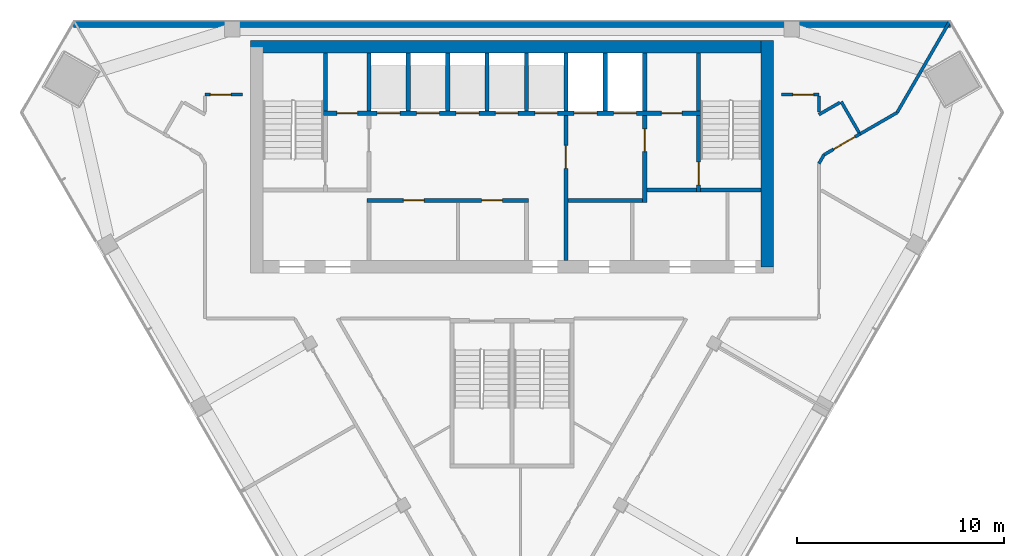
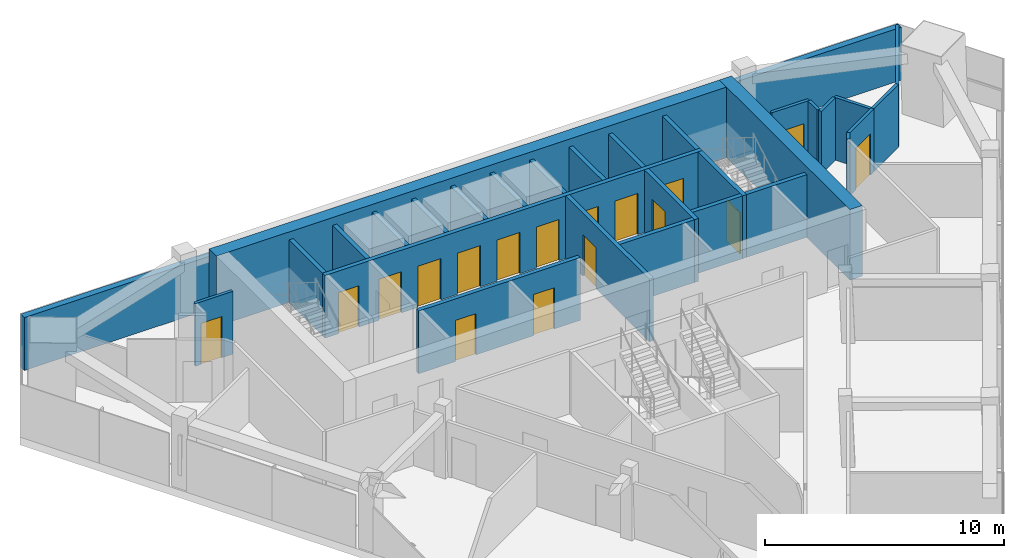
# One storey, part 9 of 12: 30 walls, 17 doors, 17 openings.
"""IFC4 building model written with IfcOpenShell, lengths in metres."""

from ifc_helpers import new_model, si_unit, direction, frame, frame_2d, origin, place, context, subcontext, project, spatial, rectangle, extrude, material, layer, layer_set, type_object, element, fill, save


model = new_model("IFC4")

# Units and contexts
model_context = context("Model", 3, precision=1e-05, world=origin(), true_north=direction((0.0, 1.0)))
body_context = subcontext(model_context, "Body", "Model", "MODEL_VIEW")
ifc_project = project(units=[si_unit("LENGTHUNIT", "METRE"), si_unit("AREAUNIT", "SQUARE_METRE"), si_unit("VOLUMEUNIT", "CUBIC_METRE"), si_unit("PLANEANGLEUNIT", "RADIAN"), si_unit("MASSUNIT", "GRAM", prefix="KILO")], contexts=[model_context])

# Site, building, storey
site_placement = place(None, origin())
site = spatial("IfcSite", under=ifc_project, at=site_placement, CompositionType="ELEMENT")
building_placement = place(site_placement, origin())
building = spatial("IfcBuilding", under=site, at=building_placement, Name="Altiplano Prism Tower", CompositionType="ELEMENT")
storey_placement = place(building_placement, frame((0.0, 0.0, 253.60009765625)))
storey = spatial("IfcBuildingStorey", under=building, at=storey_placement, Name="L65", CompositionType="ELEMENT", Elevation=253.60009765625)

# Walls
ifc_material_1 = material(Name="Concrete C60/75", Category="concrete")
ifc_layer_1 = layer(ifc_material_1, 0.60009765625)
ifc_layer_set_1 = layer_set([ifc_layer_1], Name="Concrete C60/75")
wall_type_1 = type_object("IfcWallType", Name="Core wall 600", PredefinedType="SHEAR", material=ifc_layer_set_1)
wall_1_placement = place(storey_placement, frame((97.300048828125, 93.10009765625, 0.0), z_axis=(0.0, 0.0, 1.0), x_axis=(0.0, 1.0, 0.0)))
element("IfcWall", 1, at=wall_1_placement, inside=storey, type_object=wall_type_1, Name="Core wall E L65", PredefinedType="SHEAR", context=body_context, shape_type="SweptSolid", body=[
    extrude(rectangle(XDim=10.89990234375, YDim=0.60009765625, at=frame_2d((5.449951171875, 0.0))), origin(), (0.0, 0.0, 1.0), 3.599853515625),
])
wall_2_placement = place(storey_placement, frame((97.300048828125, 103.699951171875, 0.0), z_axis=(0.0, 0.0, 1.0), x_axis=(-1.0, 0.0, 0.0)))
element("IfcWall", 2, at=wall_2_placement, inside=storey, type_object=wall_type_1, Name="Core wall N L65", PredefinedType="SHEAR", context=body_context, shape_type="SweptSolid", body=[
    extrude(rectangle(XDim=24.900146484375, YDim=0.60009765625, at=frame_2d((12.4501953125, 0.0))), origin(), (0.0, 0.0, 1.0), 3.599853515625),
])
ifc_material_2 = material(Name="Plasterboard on steel stud", Category="steel")
ifc_layer_2 = layer(ifc_material_2, 0.14990234375)
ifc_layer_set_2 = layer_set([ifc_layer_2], Name="Plasterboard on steel stud")
wall_type_2 = type_object("IfcWallType", Name="Partition 150 corridor", PredefinedType="PARTITIONING", material=ifc_layer_set_2)
wall_3_placement = place(storey_placement, frame((99.800048828125, 98.07568359375, 0.0), z_axis=(0.0, 0.0, 1.0), x_axis=(0.499837493736, 0.866119206493, 0.0)))
element("IfcWall", 3, at=wall_3_placement, inside=storey, type_object=wall_type_2, Name="Partition P06 L65 011", PredefinedType="PARTITIONING", context=body_context, shape_type="SweptSolid", body=[
    extrude(rectangle(XDim=0.489990234375, YDim=0.14990234375, at=frame_2d((0.2451171875, 0.0))), origin(), (0.0, 0.0, 1.0), 3.199951171875),
])

# Wall, opening, door
wall_4_placement = place(storey_placement, frame((100.044921875, 98.5, 0.0), z_axis=(0.0, 0.0, 1.0), x_axis=(0.866010470582, 0.500025864173, 0.0)))
wall_4 = element("IfcWall", 4, at=wall_4_placement, inside=storey, type_object=wall_type_2, Name="Partition P06 L65 012", PredefinedType="PARTITIONING", context=body_context, shape_type="SweptSolid", body=[
    extrude(rectangle(XDim=2.02001953125, YDim=0.14990234375, at=frame_2d((1.010009765625, 0.0))), origin(), (0.0, 0.0, 1.0), 3.199951171875),
])
opening_1_placement = place(wall_4_placement, frame((0.52392578125, 0.0, 0.0)))
opening_1 = element("IfcOpeningElement", 5, at=opening_1_placement, cuts=wall_4, Name="Opening D2120", PredefinedType="OPENING", context=body_context, shape_type="SweptSolid", body=[
    extrude(rectangle(XDim=1.199951171875, YDim=2.10009765625, at=frame_2d((0.60009765625, 1.050048828125))), frame((0.0, 0.08544921875, 0.0), z_axis=(0.0, -1.0, 0.0), x_axis=(1.0, 0.0, 0.0)), (0.0, 0.0, 1.0), 0.1708984375),
])
ifc_material_3 = material(Name="Timber", Category="wood")
door_type_1 = type_object("IfcDoorType", Name="Shared room door 1200 x 2100", OperationType="NOTDEFINED", PredefinedType="NOTDEFINED", material=ifc_material_3)
door_1_placement = place(opening_1_placement, origin())
door_1 = element("IfcDoor", 6, at=door_1_placement, inside=storey, type_object=door_type_1, Name="Door D2120", OperationType="SINGLE_SWING_RIGHT", OverallHeight=2.10009765625, OverallWidth=1.199951171875, PredefinedType="NOTDEFINED", context=body_context, shape_type="SweptSolid", body=[
    extrude(rectangle(XDim=1.199951171875, YDim=2.10009765625, at=frame_2d((0.60009765625, 1.050048828125))), frame((0.0, 0.02490234375, 0.0), z_axis=(0.0, -1.0, 0.0), x_axis=(1.0, 0.0, 0.0)), (0.0, 0.0, 1.0), 0.050048828125),
])
fill(opening_1, door_1)

wall_5_placement = place(storey_placement, frame((72.0, 101.39990234375, 0.0), z_axis=(0.0, 0.0, 1.0), x_axis=(-1.0, 0.0, 0.0)))
wall_5 = element("IfcWall", 7, at=wall_5_placement, inside=storey, type_object=wall_type_2, Name="Partition P06 L65 013", PredefinedType="PARTITIONING", context=body_context, shape_type="SweptSolid", body=[
    extrude(rectangle(XDim=1.800048828125, YDim=0.14990234375, at=frame_2d((0.89990234375, 0.0))), origin(), (0.0, 0.0, 1.0), 3.199951171875),
])
opening_2_placement = place(wall_5_placement, frame((0.5400390625, 0.0, 0.0)))
opening_2 = element("IfcOpeningElement", 8, at=opening_2_placement, cuts=wall_5, Name="Opening D2121", PredefinedType="OPENING", context=body_context, shape_type="SweptSolid", body=[
    extrude(rectangle(XDim=1.0, YDim=2.10009765625, at=frame_2d((0.5, 1.050048828125))), frame((0.0, 0.08544921875, 0.0), z_axis=(0.0, -1.0, 0.0), x_axis=(1.0, 0.0, 0.0)), (0.0, 0.0, 1.0), 0.1708984375),
])
door_type_2 = type_object("IfcDoorType", Name="Room door 1000 x 2100", OperationType="NOTDEFINED", PredefinedType="NOTDEFINED", material=ifc_material_3)
door_2_placement = place(opening_2_placement, origin())
door_2 = element("IfcDoor", 9, at=door_2_placement, inside=storey, type_object=door_type_2, Name="Door D2121", OperationType="SINGLE_SWING_LEFT", OverallHeight=2.10009765625, OverallWidth=1.0, PredefinedType="NOTDEFINED", context=body_context, shape_type="SweptSolid", body=[
    extrude(rectangle(XDim=1.0, YDim=2.10009765625, at=frame_2d((0.5, 1.050048828125))), frame((0.0, 0.02490234375, 0.0), z_axis=(0.0, -1.0, 0.0), x_axis=(1.0, 0.0, 0.0)), (0.0, 0.0, 1.0), 0.050048828125),
])
fill(opening_2, door_2)

# Walls
wall_6_placement = place(storey_placement, frame((101.739501953125, 99.56494140625, 0.0), z_axis=(0.0, 0.0, 1.0), x_axis=(-0.500020560727, 0.866013532718, 0.0)))
element("IfcWall", 10, at=wall_6_placement, inside=storey, type_object=wall_type_2, Name="Partition P06 L65 017", PredefinedType="PARTITIONING", context=body_context, shape_type="SweptSolid", body=[
    extrude(rectangle(XDim=1.72509765625, YDim=0.14990234375, at=frame_2d((0.862548828125, 0.0))), origin(), (0.0, 0.0, 1.0), 3.199951171875),
])
wall_7_placement = place(storey_placement, frame((100.81201171875, 101.021240234375, 0.0), z_axis=(0.0, 0.0, 1.0), x_axis=(-0.86603597662, -0.499981686864, 0.0)))
element("IfcWall", 11, at=wall_7_placement, inside=storey, type_object=wall_type_2, Name="Partition P06 L65 018", PredefinedType="PARTITIONING", context=body_context, shape_type="SweptSolid", body=[
    extrude(rectangle(XDim=1.16845703125, YDim=0.14990234375, at=frame_2d((0.584228515625, 0.0))), origin(), (0.0, 0.0, 1.0), 3.199951171875),
])
wall_8_placement = place(storey_placement, frame((99.800048828125, 100.56689453125, 0.0), z_axis=(0.0, 0.0, 1.0), x_axis=(0.0, 1.0, 0.0)))
element("IfcWall", 12, at=wall_8_placement, inside=storey, type_object=wall_type_2, Name="Partition P06 L65 019", PredefinedType="PARTITIONING", context=body_context, shape_type="SweptSolid", body=[
    extrude(rectangle(XDim=0.758056640625, YDim=0.14990234375, at=frame_2d((0.37890625, 0.0))), origin(), (0.0, 0.0, 1.0), 3.199951171875),
])

# Wall, opening, door
wall_9_placement = place(storey_placement, frame((99.800048828125, 101.39990234375, 0.0), z_axis=(0.0, 0.0, 1.0), x_axis=(-1.0, 0.0, 0.0)))
wall_9 = element("IfcWall", 13, at=wall_9_placement, inside=storey, type_object=wall_type_2, Name="Partition P06 L65 020", PredefinedType="PARTITIONING", context=body_context, shape_type="SweptSolid", body=[
    extrude(rectangle(XDim=1.800048828125, YDim=0.14990234375, at=frame_2d((0.89990234375, 0.0))), origin(), (0.0, 0.0, 1.0), 3.199951171875),
])
opening_3_placement = place(wall_9_placement, frame((0.260009765625, 0.0, 0.0)))
opening_3 = element("IfcOpeningElement", 14, at=opening_3_placement, cuts=wall_9, Name="Opening D2122", PredefinedType="OPENING", context=body_context, shape_type="SweptSolid", body=[
    extrude(rectangle(XDim=1.0, YDim=2.10009765625, at=frame_2d((0.5, 1.050048828125))), frame((0.0, 0.08544921875, 0.0), z_axis=(0.0, -1.0, 0.0), x_axis=(1.0, 0.0, 0.0)), (0.0, 0.0, 1.0), 0.1708984375),
])
door_type_3 = type_object("IfcDoorType", Name="Store door 1000 x 2100", OperationType="NOTDEFINED", PredefinedType="NOTDEFINED", material=ifc_material_3)
door_3_placement = place(opening_3_placement, origin())
door_3 = element("IfcDoor", 15, at=door_3_placement, inside=storey, type_object=door_type_3, Name="Door D2122", OperationType="SINGLE_SWING_RIGHT", OverallHeight=2.10009765625, OverallWidth=1.0, PredefinedType="NOTDEFINED", context=body_context, shape_type="SweptSolid", body=[
    extrude(rectangle(XDim=1.0, YDim=2.10009765625, at=frame_2d((0.5, 1.050048828125))), frame((0.0, 0.02490234375, 0.0), z_axis=(0.0, -1.0, 0.0), x_axis=(1.0, 0.0, 0.0)), (0.0, 0.0, 1.0), 0.050048828125),
])
fill(opening_3, door_3)

# Walls
ifc_layer_3 = layer(ifc_material_2, 0.14990234375)
ifc_layer_set_3 = layer_set([ifc_layer_3], Name="Plasterboard on steel stud")
wall_type_3 = type_object("IfcWallType", Name="Partition 150 party", PredefinedType="PARTITIONING", material=ifc_layer_set_3)
wall_10_placement = place(storey_placement, frame((106.09033203125, 104.89990234375, 0.0), z_axis=(0.0, 0.0, 1.0), x_axis=(-0.499989435719, -0.866031502989, 0.0)))
element("IfcWall", 16, at=wall_10_placement, inside=storey, type_object=wall_type_3, Name="Partition P01 L65 035", PredefinedType="PARTITIONING", context=body_context, shape_type="SweptSolid", body=[
    extrude(rectangle(XDim=5.03955078125, YDim=0.14990234375, at=frame_2d((2.519775390625, 0.0))), origin(), (0.0, 0.0, 1.0), 2.699951171875),
])
wall_11_placement = place(storey_placement, frame((103.570556640625, 100.535400390625, 0.0), z_axis=(0.0, 0.0, 1.0), x_axis=(-0.86603638303, -0.499980982906, 0.0)))
element("IfcWall", 17, at=wall_11_placement, inside=storey, type_object=wall_type_3, Name="Partition P01 L65 036", PredefinedType="PARTITIONING", context=body_context, shape_type="SweptSolid", body=[
    extrude(rectangle(XDim=2.07080078125, YDim=0.14990234375, at=frame_2d((1.035400390625, 0.0))), origin(), (0.0, 0.0, 1.0), 3.199951171875),
])
ifc_layer_4 = layer(ifc_material_1, 0.199951171875)
ifc_layer_set_4 = layer_set([ifc_layer_4], Name="Concrete C60/75")
wall_type_4 = type_object("IfcWallType", Name="Shaft wall 200", PredefinedType="SOLIDWALL", material=ifc_layer_set_4)
for number, where, z_axis, x_axis, name in (
    (18, (78.10009765625, 100.60009765625, 0.0), (0.0, 0.0, 1.0), (0.0, 1.0, 0.0), "Shaft wall L65"),
    (19, (80.0, 100.60009765625, 0.0), (0.0, 0.0, 1.0), (0.0, 1.0, 0.0), "Shaft wall L65"),
    (20, (81.89990234375, 100.60009765625, 0.0), (0.0, 0.0, 1.0), (0.0, 1.0, 0.0), "Shaft wall L65"),
    (21, (83.800048828125, 100.60009765625, 0.0), (0.0, 0.0, 1.0), (0.0, 1.0, 0.0), "Shaft wall L65"),
    (22, (85.699951171875, 100.60009765625, 0.0), (0.0, 0.0, 1.0), (0.0, 1.0, 0.0), "Shaft wall L65"),
    (23, (87.60009765625, 100.60009765625, 0.0), (0.0, 0.0, 1.0), (0.0, 1.0, 0.0), "Shaft wall L65"),
    (24, (89.5, 100.60009765625, 0.0), (0.0, 0.0, 1.0), (0.0, 1.0, 0.0), "Shaft wall L65"),
    (25, (91.39990234375, 100.60009765625, 0.0), (0.0, 0.0, 1.0), (0.0, 1.0, 0.0), "Shaft wall L65"),
):
    element("IfcWall", number, at=place(storey_placement, frame(where, z_axis=z_axis, x_axis=x_axis)), inside=storey, type_object=wall_type_4, Name=name, PredefinedType="SOLIDWALL", context=body_context, shape_type="SweptSolid", body=[
        extrude(rectangle(XDim=2.7998046875, YDim=0.199951171875, at=frame_2d((1.39990234375, 0.0))), origin(), (0.0, 0.0, 1.0), 3.199951171875),
    ])

# Wall, opening, door
ifc_layer_5 = layer(ifc_material_1, 0.199951171875)
ifc_layer_set_5 = layer_set([ifc_layer_5], Name="Concrete C60/75")
wall_type_5 = type_object("IfcWallType", Name="Stair wall 200", PredefinedType="SOLIDWALL", material=ifc_layer_set_5)
wall_12_placement = place(storey_placement, frame((94.0, 96.699951171875, 0.0), z_axis=(0.0, 0.0, 1.0), x_axis=(0.0, 1.0, 0.0)))
wall_12 = element("IfcWall", 26, at=wall_12_placement, inside=storey, type_object=wall_type_5, Name="Stair wall L65", PredefinedType="SOLIDWALL", context=body_context, shape_type="SweptSolid", body=[
    extrude(rectangle(XDim=3.699951171875, YDim=0.199951171875, at=frame_2d((1.85009765625, 0.0))), origin(), (0.0, 0.0, 1.0), 3.199951171875),
])
opening_4_placement = place(wall_12_placement, frame((0.35009765625, 0.0, 0.0)))
opening_4 = element("IfcOpeningElement", 27, at=opening_4_placement, cuts=wall_12, Name="Opening D3488", PredefinedType="OPENING", context=body_context, shape_type="SweptSolid", body=[
    extrude(rectangle(XDim=1.10009765625, YDim=2.10009765625, at=frame_2d((0.550048828125, 1.050048828125))), frame((0.0, 0.1103515625, 0.0), z_axis=(0.0, -1.0, 0.0), x_axis=(1.0, 0.0, 0.0)), (0.0, 0.0, 1.0), 0.220947265625),
])
ifc_material_4 = material(Name="Fire-rated steel door", Category="steel")
door_type_4 = type_object("IfcDoorType", Name="Stair fire door 1100 x 2100", OperationType="NOTDEFINED", PredefinedType="NOTDEFINED", material=ifc_material_4)
door_4_placement = place(opening_4_placement, origin())
door_4 = element("IfcDoor", 28, at=door_4_placement, inside=storey, type_object=door_type_4, Name="Stair fire door D3488", OperationType="SINGLE_SWING_LEFT", OverallHeight=2.10009765625, OverallWidth=1.10009765625, PredefinedType="NOTDEFINED", context=body_context, shape_type="SweptSolid", body=[
    extrude(rectangle(XDim=1.10009765625, YDim=2.10009765625, at=frame_2d((0.550048828125, 1.050048828125))), frame((0.0, 0.02490234375, 0.0), z_axis=(0.0, -1.0, 0.0), x_axis=(1.0, 0.0, 0.0)), (0.0, 0.0, 1.0), 0.050048828125),
])
fill(opening_4, door_4)

# Wall
wall_13_placement = place(storey_placement, frame((94.10009765625, 96.800048828125, 0.0), z_axis=(0.0, 0.0, 1.0), x_axis=(1.0, 0.0, 0.0)))
element("IfcWall", 29, at=wall_13_placement, inside=storey, type_object=wall_type_5, Name="Stair wall L65", PredefinedType="SOLIDWALL", context=body_context, shape_type="SweptSolid", body=[
    extrude(rectangle(XDim=2.89990234375, YDim=0.199951171875, at=frame_2d((1.449951171875, 0.0))), origin(), (0.0, 0.0, 1.0), 3.199951171875),
])

# Wall, openings, doors
wall_14_placement = place(storey_placement, frame((75.89990234375, 100.5, 0.0), z_axis=(0.0, 0.0, 1.0), x_axis=(1.0, 0.0, 0.0)))
wall_14 = element("IfcWall", 30, at=wall_14_placement, inside=storey, type_object=wall_type_5, Name="Stair wall L65", PredefinedType="SOLIDWALL", context=body_context, shape_type="SweptSolid", body=[
    extrude(rectangle(XDim=18.2001953125, YDim=0.199951171875, at=frame_2d((9.10009765625, 0.0))), origin(), (0.0, 0.0, 1.0), 3.199951171875),
])
opening_5_placement = place(wall_14_placement, frame((2.60009765625, 0.0, 0.0)))
opening_5 = element("IfcOpeningElement", 31, at=opening_5_placement, cuts=wall_14, Name="Opening LD-HL1-L65", PredefinedType="OPENING", context=body_context, shape_type="SweptSolid", body=[
    extrude(rectangle(XDim=1.10009765625, YDim=2.10009765625, at=frame_2d((0.550048828125, 1.050048828125))), frame((0.0, 0.1103515625, 0.0), z_axis=(0.0, -1.0, 0.0), x_axis=(1.0, 0.0, 0.0)), (0.0, 0.0, 1.0), 0.220947265625),
])
opening_6_placement = place(wall_14_placement, frame((4.5, 0.0, 0.0)))
opening_6 = element("IfcOpeningElement", 32, at=opening_6_placement, cuts=wall_14, Name="Opening LD-HL2-L65", PredefinedType="OPENING", context=body_context, shape_type="SweptSolid", body=[
    extrude(rectangle(XDim=1.10009765625, YDim=2.10009765625, at=frame_2d((0.550048828125, 1.050048828125))), frame((0.0, 0.1103515625, 0.0), z_axis=(0.0, -1.0, 0.0), x_axis=(1.0, 0.0, 0.0)), (0.0, 0.0, 1.0), 0.220947265625),
])
opening_7_placement = place(wall_14_placement, frame((6.39990234375, 0.0, 0.0)))
opening_7 = element("IfcOpeningElement", 33, at=opening_7_placement, cuts=wall_14, Name="Opening LD-HL3-L65", PredefinedType="OPENING", context=body_context, shape_type="SweptSolid", body=[
    extrude(rectangle(XDim=1.10009765625, YDim=2.10009765625, at=frame_2d((0.550048828125, 1.050048828125))), frame((0.0, 0.1103515625, 0.0), z_axis=(0.0, -1.0, 0.0), x_axis=(1.0, 0.0, 0.0)), (0.0, 0.0, 1.0), 0.220947265625),
])
opening_8_placement = place(wall_14_placement, frame((8.300048828125, 0.0, 0.0)))
opening_8 = element("IfcOpeningElement", 34, at=opening_8_placement, cuts=wall_14, Name="Opening LD-HL4-L65", PredefinedType="OPENING", context=body_context, shape_type="SweptSolid", body=[
    extrude(rectangle(XDim=1.10009765625, YDim=2.10009765625, at=frame_2d((0.550048828125, 1.050048828125))), frame((0.0, 0.1103515625, 0.0), z_axis=(0.0, -1.0, 0.0), x_axis=(1.0, 0.0, 0.0)), (0.0, 0.0, 1.0), 0.220947265625),
])
opening_9_placement = place(wall_14_placement, frame((10.199951171875, 0.0, 0.0)))
opening_9 = element("IfcOpeningElement", 35, at=opening_9_placement, cuts=wall_14, Name="Opening LD-HL5-L65", PredefinedType="OPENING", context=body_context, shape_type="SweptSolid", body=[
    extrude(rectangle(XDim=1.10009765625, YDim=2.10009765625, at=frame_2d((0.550048828125, 1.050048828125))), frame((0.0, 0.1103515625, 0.0), z_axis=(0.0, -1.0, 0.0), x_axis=(1.0, 0.0, 0.0)), (0.0, 0.0, 1.0), 0.220947265625),
])
opening_10_placement = place(wall_14_placement, frame((12.10009765625, 0.0, 0.0)))
opening_10 = element("IfcOpeningElement", 36, at=opening_10_placement, cuts=wall_14, Name="Opening LD-FF1-L65", PredefinedType="OPENING", context=body_context, shape_type="SweptSolid", body=[
    extrude(rectangle(XDim=1.10009765625, YDim=2.10009765625, at=frame_2d((0.550048828125, 1.050048828125))), frame((0.0, 0.1103515625, 0.0), z_axis=(0.0, -1.0, 0.0), x_axis=(1.0, 0.0, 0.0)), (0.0, 0.0, 1.0), 0.220947265625),
])
opening_11_placement = place(wall_14_placement, frame((14.0, 0.0, 0.0)))
opening_11 = element("IfcOpeningElement", 37, at=opening_11_placement, cuts=wall_14, Name="Opening LD-FF2-L65", PredefinedType="OPENING", context=body_context, shape_type="SweptSolid", body=[
    extrude(rectangle(XDim=1.10009765625, YDim=2.10009765625, at=frame_2d((0.550048828125, 1.050048828125))), frame((0.0, 0.1103515625, 0.0), z_axis=(0.0, -1.0, 0.0), x_axis=(1.0, 0.0, 0.0)), (0.0, 0.0, 1.0), 0.220947265625),
])
opening_12_placement = place(wall_14_placement, frame((0.64990234375, 0.0, 0.0)))
opening_12 = element("IfcOpeningElement", 38, at=opening_12_placement, cuts=wall_14, Name="Opening D3495", PredefinedType="OPENING", context=body_context, shape_type="SweptSolid", body=[
    extrude(rectangle(XDim=1.0, YDim=2.10009765625, at=frame_2d((0.5, 1.050048828125))), frame((0.0, 0.1103515625, 0.0), z_axis=(0.0, -1.0, 0.0), x_axis=(1.0, 0.0, 0.0)), (0.0, 0.0, 1.0), 0.220947265625),
])
opening_13_placement = place(wall_14_placement, frame((16.300048828125, 0.0, 0.0)))
opening_13 = element("IfcOpeningElement", 39, at=opening_13_placement, cuts=wall_14, Name="Opening D3496", PredefinedType="OPENING", context=body_context, shape_type="SweptSolid", body=[
    extrude(rectangle(XDim=1.0, YDim=2.10009765625, at=frame_2d((0.5, 1.050048828125))), frame((0.0, 0.1103515625, 0.0), z_axis=(0.0, -1.0, 0.0), x_axis=(1.0, 0.0, 0.0)), (0.0, 0.0, 1.0), 0.220947265625),
])
door_type_5 = type_object("IfcDoorType", Name="Core room door 1000 x 2100", OperationType="NOTDEFINED", PredefinedType="NOTDEFINED", material=ifc_material_4)
door_5_placement = place(opening_12_placement, origin())
door_5 = element("IfcDoor", 40, at=door_5_placement, inside=storey, type_object=door_type_5, Name="Core room door D3495", OperationType="SINGLE_SWING_LEFT", OverallHeight=2.10009765625, OverallWidth=1.0, PredefinedType="NOTDEFINED", context=body_context, shape_type="SweptSolid", body=[
    extrude(rectangle(XDim=1.0, YDim=2.10009765625, at=frame_2d((0.5, 1.050048828125))), frame((0.0, 0.02490234375, 0.0), z_axis=(0.0, -1.0, 0.0), x_axis=(1.0, 0.0, 0.0)), (0.0, 0.0, 1.0), 0.050048828125),
])
fill(opening_12, door_5)
door_6_placement = place(opening_13_placement, origin())
door_6 = element("IfcDoor", 41, at=door_6_placement, inside=storey, type_object=door_type_5, Name="Core room door D3496", OperationType="SINGLE_SWING_RIGHT", OverallHeight=2.10009765625, OverallWidth=1.0, PredefinedType="NOTDEFINED", context=body_context, shape_type="SweptSolid", body=[
    extrude(rectangle(XDim=1.0, YDim=2.10009765625, at=frame_2d((0.5, 1.050048828125))), frame((0.0, 0.02490234375, 0.0), z_axis=(0.0, -1.0, 0.0), x_axis=(1.0, 0.0, 0.0)), (0.0, 0.0, 1.0), 0.050048828125),
])
fill(opening_13, door_6)
ifc_material_5 = material(Name="Stainless steel landing door", Category="steel")
door_type_6 = type_object("IfcDoorType", Name="Landing door 1100 x 2100", OperationType="NOTDEFINED", PredefinedType="NOTDEFINED", material=ifc_material_5)
door_7_placement = place(opening_5_placement, origin())
door_7 = element("IfcDoor", 42, at=door_7_placement, inside=storey, type_object=door_type_6, Name="Landing doors HL1", OperationType="SLIDING_TO_RIGHT", OverallHeight=2.10009765625, OverallWidth=1.10009765625, PredefinedType="NOTDEFINED", context=body_context, shape_type="SweptSolid", body=[
    extrude(rectangle(XDim=1.10009765625, YDim=2.10009765625, at=frame_2d((0.550048828125, 1.050048828125))), frame((0.0, 0.02490234375, 0.0), z_axis=(0.0, -1.0, 0.0), x_axis=(1.0, 0.0, 0.0)), (0.0, 0.0, 1.0), 0.050048828125),
])
fill(opening_5, door_7)
door_8_placement = place(opening_6_placement, origin())
door_8 = element("IfcDoor", 43, at=door_8_placement, inside=storey, type_object=door_type_6, Name="Landing doors HL2", OperationType="SLIDING_TO_LEFT", OverallHeight=2.10009765625, OverallWidth=1.10009765625, PredefinedType="NOTDEFINED", context=body_context, shape_type="SweptSolid", body=[
    extrude(rectangle(XDim=1.10009765625, YDim=2.10009765625, at=frame_2d((0.550048828125, 1.050048828125))), frame((0.0, 0.02490234375, 0.0), z_axis=(0.0, -1.0, 0.0), x_axis=(1.0, 0.0, 0.0)), (0.0, 0.0, 1.0), 0.050048828125),
])
fill(opening_6, door_8)
door_9_placement = place(opening_7_placement, origin())
door_9 = element("IfcDoor", 44, at=door_9_placement, inside=storey, type_object=door_type_6, Name="Landing doors HL3", OperationType="SLIDING_TO_RIGHT", OverallHeight=2.10009765625, OverallWidth=1.10009765625, PredefinedType="NOTDEFINED", context=body_context, shape_type="SweptSolid", body=[
    extrude(rectangle(XDim=1.10009765625, YDim=2.10009765625, at=frame_2d((0.550048828125, 1.050048828125))), frame((0.0, 0.02490234375, 0.0), z_axis=(0.0, -1.0, 0.0), x_axis=(1.0, 0.0, 0.0)), (0.0, 0.0, 1.0), 0.050048828125),
])
fill(opening_7, door_9)
door_10_placement = place(opening_8_placement, origin())
door_10 = element("IfcDoor", 45, at=door_10_placement, inside=storey, type_object=door_type_6, Name="Landing doors HL4", OperationType="SLIDING_TO_LEFT", OverallHeight=2.10009765625, OverallWidth=1.10009765625, PredefinedType="NOTDEFINED", context=body_context, shape_type="SweptSolid", body=[
    extrude(rectangle(XDim=1.10009765625, YDim=2.10009765625, at=frame_2d((0.550048828125, 1.050048828125))), frame((0.0, 0.02490234375, 0.0), z_axis=(0.0, -1.0, 0.0), x_axis=(1.0, 0.0, 0.0)), (0.0, 0.0, 1.0), 0.050048828125),
])
fill(opening_8, door_10)
door_11_placement = place(opening_9_placement, origin())
door_11 = element("IfcDoor", 46, at=door_11_placement, inside=storey, type_object=door_type_6, Name="Landing doors HL5", OperationType="SLIDING_TO_RIGHT", OverallHeight=2.10009765625, OverallWidth=1.10009765625, PredefinedType="NOTDEFINED", context=body_context, shape_type="SweptSolid", body=[
    extrude(rectangle(XDim=1.10009765625, YDim=2.10009765625, at=frame_2d((0.550048828125, 1.050048828125))), frame((0.0, 0.02490234375, 0.0), z_axis=(0.0, -1.0, 0.0), x_axis=(1.0, 0.0, 0.0)), (0.0, 0.0, 1.0), 0.050048828125),
])
fill(opening_9, door_11)
door_12_placement = place(opening_10_placement, origin())
door_12 = element("IfcDoor", 47, at=door_12_placement, inside=storey, type_object=door_type_6, Name="Landing doors FF1", OperationType="SLIDING_TO_RIGHT", OverallHeight=2.10009765625, OverallWidth=1.10009765625, PredefinedType="NOTDEFINED", context=body_context, shape_type="SweptSolid", body=[
    extrude(rectangle(XDim=1.10009765625, YDim=2.10009765625, at=frame_2d((0.550048828125, 1.050048828125))), frame((0.0, 0.02490234375, 0.0), z_axis=(0.0, -1.0, 0.0), x_axis=(1.0, 0.0, 0.0)), (0.0, 0.0, 1.0), 0.050048828125),
])
fill(opening_10, door_12)
door_13_placement = place(opening_11_placement, origin())
door_13 = element("IfcDoor", 48, at=door_13_placement, inside=storey, type_object=door_type_6, Name="Landing doors FF2", OperationType="SLIDING_TO_LEFT", OverallHeight=2.10009765625, OverallWidth=1.10009765625, PredefinedType="NOTDEFINED", context=body_context, shape_type="SweptSolid", body=[
    extrude(rectangle(XDim=1.10009765625, YDim=2.10009765625, at=frame_2d((0.550048828125, 1.050048828125))), frame((0.0, 0.02490234375, 0.0), z_axis=(0.0, -1.0, 0.0), x_axis=(1.0, 0.0, 0.0)), (0.0, 0.0, 1.0), 0.050048828125),
])
fill(opening_11, door_13)

# Walls
for number, where, z_axis, x_axis, name in (
    (49, (76.0, 100.60009765625, 0.0), (0.0, 0.0, 1.0), (0.0, 1.0, 0.0), "Stair wall L65"),
    (50, (94.0, 100.60009765625, 0.0), (0.0, 0.0, 1.0), (0.0, 1.0, 0.0), "Stair wall L65"),
):
    element("IfcWall", number, at=place(storey_placement, frame(where, z_axis=z_axis, x_axis=x_axis)), inside=storey, type_object=wall_type_5, Name=name, PredefinedType="SOLIDWALL", context=body_context, shape_type="SweptSolid", body=[
        extrude(rectangle(XDim=2.7998046875, YDim=0.199951171875, at=frame_2d((1.39990234375, 0.0))), origin(), (0.0, 0.0, 1.0), 3.199951171875),
    ])
ifc_material_6 = material(Name="Concrete C40", Category="concrete")
ifc_layer_6 = layer(ifc_material_6, 0.300048828125)
ifc_layer_set_6 = layer_set([ifc_layer_6], Name="Concrete C40")
wall_type_6 = type_object("IfcWallType", Name="Stone-clad external wall 300", PredefinedType="SOLIDWALL", material=ifc_layer_set_6)
wall_15_placement = place(storey_placement, frame((63.851806640625, 104.7900390625, 0.0), z_axis=(0.0, 0.0, 1.0), x_axis=(1.0, 0.0, 0.0)))
element("IfcWall", 51, at=wall_15_placement, inside=storey, type_object=wall_type_6, Name="External wall north face L65", PredefinedType="SOLIDWALL", context=body_context, shape_type="SweptSolid", body=[
    extrude(rectangle(XDim=42.29638671875, YDim=0.300048828125, at=frame_2d((21.148193359375, 0.0))), origin(), (0.0, 0.0, 1.0), 2.699951171875),
])

# Wall, opening, door
ifc_layer_7 = layer(ifc_material_1, 0.199951171875)
ifc_layer_set_7 = layer_set([ifc_layer_7], Name="Concrete C60/75")
wall_type_7 = type_object("IfcWallType", Name="Vestibule wall 200", PredefinedType="PARTITIONING", material=ifc_layer_set_7)
wall_16_placement = place(storey_placement, frame((87.60009765625, 93.39990234375, 0.0), z_axis=(0.0, 0.0, 1.0), x_axis=(0.0, 1.0, 0.0)))
wall_16 = element("IfcWall", 52, at=wall_16_placement, inside=storey, type_object=wall_type_7, Name="Vestibule wall L65", PredefinedType="PARTITIONING", context=body_context, shape_type="SweptSolid", body=[
    extrude(rectangle(XDim=7.0, YDim=0.199951171875, at=frame_2d((3.5, 0.0))), origin(), (0.0, 0.0, 1.0), 3.199951171875),
])
opening_14_placement = place(wall_16_placement, frame((4.449951171875, 0.0, 0.0)))
opening_14 = element("IfcOpeningElement", 53, at=opening_14_placement, cuts=wall_16, Name="Opening D3490", PredefinedType="OPENING", context=body_context, shape_type="SweptSolid", body=[
    extrude(rectangle(XDim=1.10009765625, YDim=2.10009765625, at=frame_2d((0.550048828125, 1.050048828125))), frame((0.0, 0.1103515625, 0.0), z_axis=(0.0, -1.0, 0.0), x_axis=(1.0, 0.0, 0.0)), (0.0, 0.0, 1.0), 0.220947265625),
])
door_type_7 = type_object("IfcDoorType", Name="Vestibule fire door 1100 x 2100", OperationType="NOTDEFINED", PredefinedType="NOTDEFINED", material=ifc_material_4)
door_14_placement = place(opening_14_placement, origin())
door_14 = element("IfcDoor", 54, at=door_14_placement, inside=storey, type_object=door_type_7, Name="Vestibule fire door D3490", OperationType="SINGLE_SWING_RIGHT", OverallHeight=2.10009765625, OverallWidth=1.10009765625, PredefinedType="NOTDEFINED", context=body_context, shape_type="SweptSolid", body=[
    extrude(rectangle(XDim=1.10009765625, YDim=2.10009765625, at=frame_2d((0.550048828125, 1.050048828125))), frame((0.0, 0.02490234375, 0.0), z_axis=(0.0, -1.0, 0.0), x_axis=(1.0, 0.0, 0.0)), (0.0, 0.0, 1.0), 0.050048828125),
])
fill(opening_14, door_14)

# Wall, openings, doors
wall_17_placement = place(storey_placement, frame((78.0, 96.300048828125, 0.0), z_axis=(0.0, 0.0, 1.0), x_axis=(1.0, 0.0, 0.0)))
wall_17 = element("IfcWall", 55, at=wall_17_placement, inside=storey, type_object=wall_type_7, Name="Vestibule wall L65", PredefinedType="PARTITIONING", context=body_context, shape_type="SweptSolid", body=[
    extrude(rectangle(XDim=7.800048828125, YDim=0.199951171875, at=frame_2d((3.89990234375, 0.0))), origin(), (0.0, 0.0, 1.0), 3.199951171875),
])
opening_15_placement = place(wall_17_placement, frame((1.762451171875, 0.0, 0.0)))
opening_15 = element("IfcOpeningElement", 56, at=opening_15_placement, cuts=wall_17, Name="Opening D3500", PredefinedType="OPENING", context=body_context, shape_type="SweptSolid", body=[
    extrude(rectangle(XDim=1.0, YDim=2.10009765625, at=frame_2d((0.5, 1.050048828125))), frame((0.0, 0.1103515625, 0.0), z_axis=(0.0, -1.0, 0.0), x_axis=(1.0, 0.0, 0.0)), (0.0, 0.0, 1.0), 0.220947265625),
])
opening_16_placement = place(wall_17_placement, frame((5.53759765625, 0.0, 0.0)))
opening_16 = element("IfcOpeningElement", 57, at=opening_16_placement, cuts=wall_17, Name="Opening D3501", PredefinedType="OPENING", context=body_context, shape_type="SweptSolid", body=[
    extrude(rectangle(XDim=1.0, YDim=2.10009765625, at=frame_2d((0.5, 1.050048828125))), frame((0.0, 0.1103515625, 0.0), z_axis=(0.0, -1.0, 0.0), x_axis=(1.0, 0.0, 0.0)), (0.0, 0.0, 1.0), 0.220947265625),
])
door_15_placement = place(opening_15_placement, origin())
door_15 = element("IfcDoor", 58, at=door_15_placement, inside=storey, type_object=door_type_5, Name="Core room door D3500", OperationType="SINGLE_SWING_RIGHT", OverallHeight=2.10009765625, OverallWidth=1.0, PredefinedType="NOTDEFINED", context=body_context, shape_type="SweptSolid", body=[
    extrude(rectangle(XDim=1.0, YDim=2.10009765625, at=frame_2d((0.5, 1.050048828125))), frame((0.0, 0.02490234375, 0.0), z_axis=(0.0, -1.0, 0.0), x_axis=(1.0, 0.0, 0.0)), (0.0, 0.0, 1.0), 0.050048828125),
])
fill(opening_15, door_15)
door_16_placement = place(opening_16_placement, origin())
door_16 = element("IfcDoor", 59, at=door_16_placement, inside=storey, type_object=door_type_5, Name="Core room door D3501", OperationType="SINGLE_SWING_RIGHT", OverallHeight=2.10009765625, OverallWidth=1.0, PredefinedType="NOTDEFINED", context=body_context, shape_type="SweptSolid", body=[
    extrude(rectangle(XDim=1.0, YDim=2.10009765625, at=frame_2d((0.5, 1.050048828125))), frame((0.0, 0.02490234375, 0.0), z_axis=(0.0, -1.0, 0.0), x_axis=(1.0, 0.0, 0.0)), (0.0, 0.0, 1.0), 0.050048828125),
])
fill(opening_16, door_16)

# Wall
wall_18_placement = place(storey_placement, frame((87.699951171875, 96.300048828125, 0.0), z_axis=(0.0, 0.0, 1.0), x_axis=(1.0, 0.0, 0.0)))
element("IfcWall", 60, at=wall_18_placement, inside=storey, type_object=wall_type_7, Name="Vestibule wall L65", PredefinedType="PARTITIONING", context=body_context, shape_type="SweptSolid", body=[
    extrude(rectangle(XDim=3.60009765625, YDim=0.199951171875, at=frame_2d((1.800048828125, 0.0))), origin(), (0.0, 0.0, 1.0), 3.199951171875),
])

# Wall, opening, door
wall_19_placement = place(storey_placement, frame((91.39990234375, 96.199951171875, 0.0), z_axis=(0.0, 0.0, 1.0), x_axis=(0.0, 1.0, 0.0)))
wall_19 = element("IfcWall", 61, at=wall_19_placement, inside=storey, type_object=wall_type_7, Name="Vestibule wall L65", PredefinedType="PARTITIONING", context=body_context, shape_type="SweptSolid", body=[
    extrude(rectangle(XDim=4.199951171875, YDim=0.199951171875, at=frame_2d((2.10009765625, 0.0))), origin(), (0.0, 0.0, 1.0), 3.199951171875),
])
opening_17_placement = place(wall_19_placement, frame((2.449951171875, 0.0, 0.0)))
opening_17 = element("IfcOpeningElement", 62, at=opening_17_placement, cuts=wall_19, Name="Opening D3491", PredefinedType="OPENING", context=body_context, shape_type="SweptSolid", body=[
    extrude(rectangle(XDim=1.10009765625, YDim=2.10009765625, at=frame_2d((0.550048828125, 1.050048828125))), frame((0.0, 0.1103515625, 0.0), z_axis=(0.0, -1.0, 0.0), x_axis=(1.0, 0.0, 0.0)), (0.0, 0.0, 1.0), 0.220947265625),
])
door_17_placement = place(opening_17_placement, origin())
door_17 = element("IfcDoor", 63, at=door_17_placement, inside=storey, type_object=door_type_7, Name="Vestibule fire door D3491", OperationType="SINGLE_SWING_LEFT", OverallHeight=2.10009765625, OverallWidth=1.10009765625, PredefinedType="NOTDEFINED", context=body_context, shape_type="SweptSolid", body=[
    extrude(rectangle(XDim=1.10009765625, YDim=2.10009765625, at=frame_2d((0.550048828125, 1.050048828125))), frame((0.0, 0.02490234375, 0.0), z_axis=(0.0, -1.0, 0.0), x_axis=(1.0, 0.0, 0.0)), (0.0, 0.0, 1.0), 0.050048828125),
])
fill(opening_17, door_17)

# Wall
wall_20_placement = place(storey_placement, frame((91.5, 96.800048828125, 0.0), z_axis=(0.0, 0.0, 1.0), x_axis=(1.0, 0.0, 0.0)))
element("IfcWall", 64, at=wall_20_placement, inside=storey, type_object=wall_type_7, Name="Vestibule wall L65", PredefinedType="PARTITIONING", context=body_context, shape_type="SweptSolid", body=[
    extrude(rectangle(XDim=2.39990234375, YDim=0.199951171875, at=frame_2d((1.199951171875, 0.0))), origin(), (0.0, 0.0, 1.0), 3.199951171875),
])

save(model, "model.ifc")
